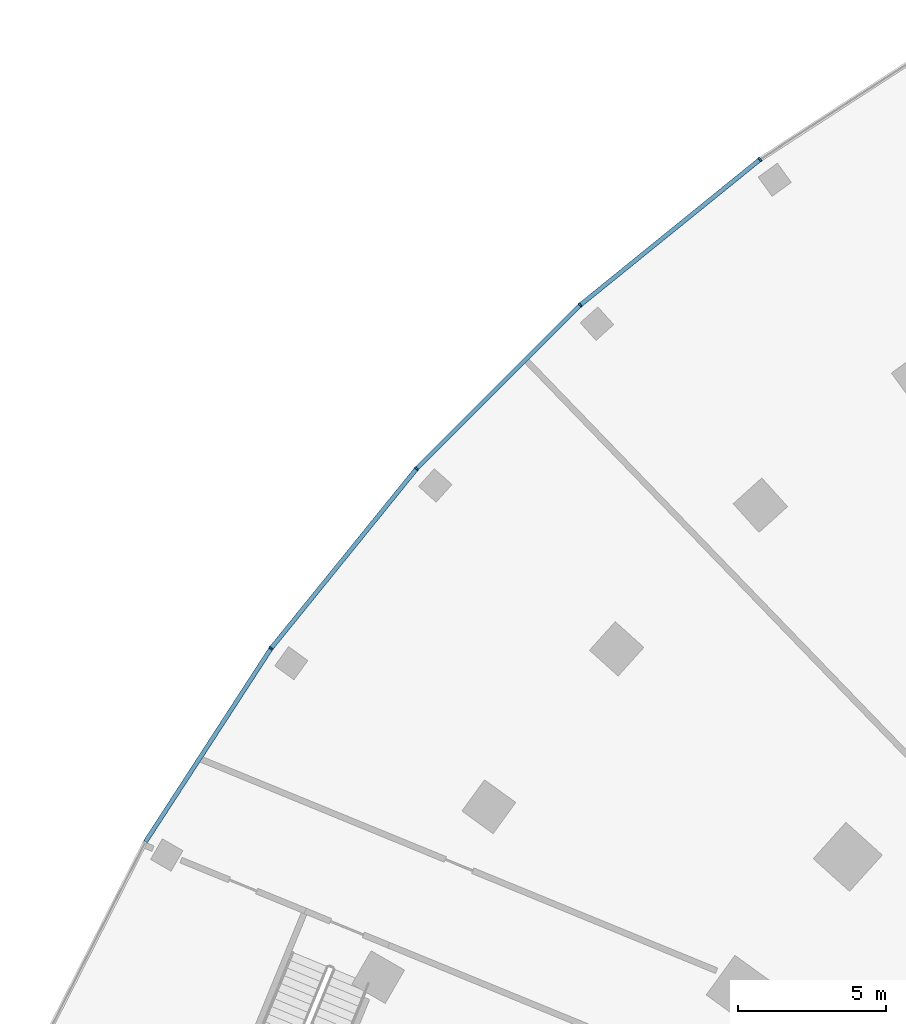
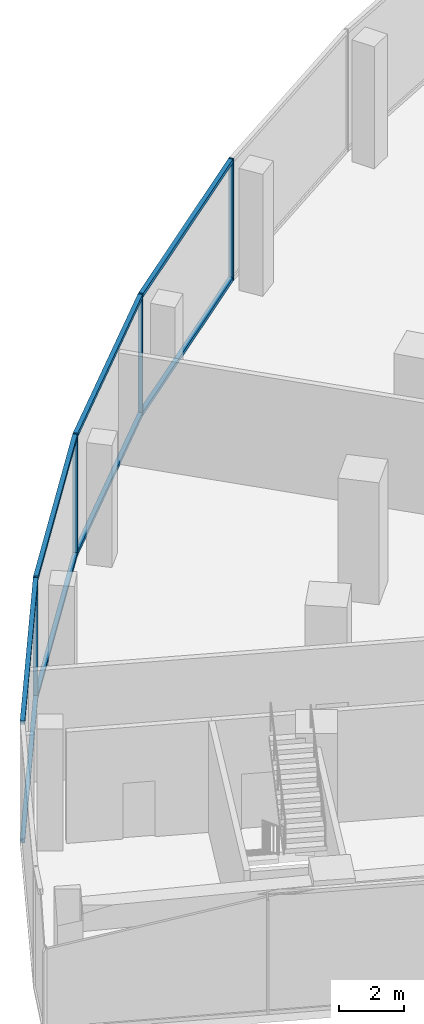
# One storey, part 6 of 40: 12 members, 1 element without a shape of its own.
"""IFC4 building model written with IfcOpenShell, lengths in metres."""

from ifc_helpers import new_model, si_unit, direction, frame, origin, origin_2d, place, context, subcontext, project, spatial, rectangle, extrude, material, layer, layer_set, material_profile, profile_set, type_object, element, aggregate, save


model = new_model("IFC4")

# Units and contexts
model_context = context("Model", 3, precision=1e-05, world=origin(), true_north=direction((0.0, 1.0)))
body_context = subcontext(model_context, "Body", "Model", "MODEL_VIEW")
ifc_project = project(units=[si_unit("LENGTHUNIT", "METRE"), si_unit("AREAUNIT", "SQUARE_METRE"), si_unit("VOLUMEUNIT", "CUBIC_METRE"), si_unit("PLANEANGLEUNIT", "RADIAN"), si_unit("MASSUNIT", "GRAM", prefix="KILO")], contexts=[model_context])

# Site, building, storey
site_placement = place(None, origin())
site = spatial("IfcSite", under=ifc_project, at=site_placement, CompositionType="ELEMENT")
building_placement = place(site_placement, origin())
building = spatial("IfcBuilding", under=site, at=building_placement, Name="Stone Belt Terrace Tower", CompositionType="ELEMENT")
storey_placement = place(building_placement, frame((0.0, 0.0, 7.0)))
storey = spatial("IfcBuildingStorey", under=building, at=storey_placement, Name="L01", CompositionType="ELEMENT", Elevation=7.0)

# Curtain wall, members
ifc_material = material(Name="Aluminium 6063-T6 anodised frame", Category="aluminium")
ifc_layer = layer(ifc_material, 0.14990234375)
ifc_layer_set = layer_set([ifc_layer], Name="CW-D podium shopfront")
curtain_wall_type = type_object("IfcCurtainWallType", Name="CW-D podium shopfront", PredefinedType="NOTDEFINED", material=ifc_layer_set)
curtain_wall_placement = place(storey_placement, origin())
curtain_wall = element("IfcCurtainWall", 1, at=curtain_wall_placement, inside=storey, type_object=curtain_wall_type, Name="CW-D convex face L01", PredefinedType="NOTDEFINED")
ifc_material_profile_1 = material_profile(ifc_material, rectangle(XDim=0.14990234375, YDim=0.06005859375, at=origin_2d()), Name="Aluminium 6063-T6 60x150")
ifc_profile_set_1 = profile_set([ifc_material_profile_1], Name="Aluminium 6063-T6 anodised frame")
member_type_1 = type_object("IfcMemberType", Name="CW-D mullion 60 x 150", PredefinedType="MULLION", material=ifc_profile_set_1)
member_1_placement = place(storey_placement, frame((-43.834228515625, 60.33251953125, 0.0), z_axis=(0.0, 0.0, 1.0), x_axis=(0.587785252292, -0.809016994375, 0.0)))
member_1 = element("IfcMember", 2, at=member_1_placement, type_object=member_type_1, Name="CW-D mullion 19", PredefinedType="MULLION", context=body_context, shape_type="SweptSolid", body=[
    extrude(rectangle(XDim=0.14990234375, YDim=0.06005859375, at=origin_2d()), origin(), (0.0, 0.0, 1.0), 4.60009765625),
])
member_2_placement = place(storey_placement, frame((-49.900390625, 55.420166015625, 0.0), z_axis=(0.0, 0.0, 1.0), x_axis=(0.669130606359, -0.743144825477, 0.0)))
member_2 = element("IfcMember", 3, at=member_2_placement, type_object=member_type_1, Name="CW-D mullion 20", PredefinedType="MULLION", context=body_context, shape_type="SweptSolid", body=[
    extrude(rectangle(XDim=0.14990234375, YDim=0.06005859375, at=origin_2d()), origin(), (0.0, 0.0, 1.0), 4.60009765625),
])
member_3_placement = place(storey_placement, frame((-55.420166015625, 49.900390625, 0.0), z_axis=(0.0, 0.0, 1.0), x_axis=(0.743144825477, -0.669130606359, 0.0)))
member_3 = element("IfcMember", 4, at=member_3_placement, type_object=member_type_1, Name="CW-D mullion 21", PredefinedType="MULLION", context=body_context, shape_type="SweptSolid", body=[
    extrude(rectangle(XDim=0.14990234375, YDim=0.06005859375, at=origin_2d()), origin(), (0.0, 0.0, 1.0), 4.60009765625),
])
member_4_placement = place(storey_placement, frame((-60.33251953125, 43.834228515625, 0.0), z_axis=(0.0, 0.0, 1.0), x_axis=(0.809016994375, -0.587785252292, 0.0)))
member_4 = element("IfcMember", 5, at=member_4_placement, type_object=member_type_1, Name="CW-D mullion 22", PredefinedType="MULLION", context=body_context, shape_type="SweptSolid", body=[
    extrude(rectangle(XDim=0.14990234375, YDim=0.06005859375, at=origin_2d()), origin(), (0.0, 0.0, 1.0), 4.60009765625),
])
ifc_material_profile_2 = material_profile(ifc_material, rectangle(XDim=0.14990234375, YDim=0.139892578125, at=origin_2d()), Name="Aluminium 6063-T6 150x140")
ifc_profile_set_2 = profile_set([ifc_material_profile_2], Name="Aluminium 6063-T6 anodised frame")
member_type_2 = type_object("IfcMemberType", Name="CW-D transom 140 x 150", PredefinedType="USERDEFINED", material=ifc_profile_set_2)
member_5_placement = place(storey_placement, frame((-43.860595703125, 60.311279296875, 0.070068359375), z_axis=(-0.777139794023, -0.62932800712, 0.0), x_axis=(0.62932800712, -0.777139794023, 0.0)))
member_5 = element("IfcMember", 6, at=member_5_placement, type_object=member_type_2, Name="CW-D transom 19.1", ObjectType="TRANSOM", PredefinedType="USERDEFINED", context=body_context, shape_type="SweptSolid", body=[
    extrude(rectangle(XDim=0.14990234375, YDim=0.139892578125, at=origin_2d()), origin(), (0.0, 0.0, 1.0), 7.73828125),
])
member_6_placement = place(storey_placement, frame((-43.860595703125, 60.311279296875, 4.530029296875), z_axis=(-0.777139794023, -0.62932800712, 0.0), x_axis=(0.62932800712, -0.777139794023, 0.0)))
member_6 = element("IfcMember", 7, at=member_6_placement, type_object=member_type_2, Name="CW-D transom 19.2", ObjectType="TRANSOM", PredefinedType="USERDEFINED", context=body_context, shape_type="SweptSolid", body=[
    extrude(rectangle(XDim=0.14990234375, YDim=0.139892578125, at=origin_2d()), origin(), (0.0, 0.0, 1.0), 7.73828125),
])
member_7_placement = place(storey_placement, frame((-49.924560546875, 55.396240234375, 0.070068359375), z_axis=(-0.707106781187, -0.707106781187, 0.0), x_axis=(0.707106781187, -0.707106781187, 0.0)))
member_7 = element("IfcMember", 8, at=member_7_placement, type_object=member_type_2, Name="CW-D transom 20.1", ObjectType="TRANSOM", PredefinedType="USERDEFINED", context=body_context, shape_type="SweptSolid", body=[
    extrude(rectangle(XDim=0.14990234375, YDim=0.139892578125, at=origin_2d()), origin(), (0.0, 0.0, 1.0), 7.738037109375),
])
member_8_placement = place(storey_placement, frame((-49.924560546875, 55.396240234375, 4.530029296875), z_axis=(-0.707106781187, -0.707106781187, 0.0), x_axis=(0.707106781187, -0.707106781187, 0.0)))
member_8 = element("IfcMember", 9, at=member_8_placement, type_object=member_type_2, Name="CW-D transom 20.2", ObjectType="TRANSOM", PredefinedType="USERDEFINED", context=body_context, shape_type="SweptSolid", body=[
    extrude(rectangle(XDim=0.14990234375, YDim=0.139892578125, at=origin_2d()), origin(), (0.0, 0.0, 1.0), 7.738037109375),
])
member_9_placement = place(storey_placement, frame((-55.44140625, 49.874267578125, 0.070068359375), z_axis=(-0.62932800712, -0.777139794023, 0.0), x_axis=(0.777139794023, -0.62932800712, 0.0)))
member_9 = element("IfcMember", 10, at=member_9_placement, type_object=member_type_2, Name="CW-D transom 21.1", ObjectType="TRANSOM", PredefinedType="USERDEFINED", context=body_context, shape_type="SweptSolid", body=[
    extrude(rectangle(XDim=0.14990234375, YDim=0.139892578125, at=origin_2d()), origin(), (0.0, 0.0, 1.0), 7.73828125),
])
member_10_placement = place(storey_placement, frame((-55.44140625, 49.874267578125, 4.530029296875), z_axis=(-0.62932800712, -0.777139794023, 0.0), x_axis=(0.777139794023, -0.62932800712, 0.0)))
member_10 = element("IfcMember", 11, at=member_10_placement, type_object=member_type_2, Name="CW-D transom 21.2", ObjectType="TRANSOM", PredefinedType="USERDEFINED", context=body_context, shape_type="SweptSolid", body=[
    extrude(rectangle(XDim=0.14990234375, YDim=0.139892578125, at=origin_2d()), origin(), (0.0, 0.0, 1.0), 7.73828125),
])
member_11_placement = place(storey_placement, frame((-60.35107421875, 43.8056640625, 0.070068359375), z_axis=(-0.54462677088, -0.83867853224, 0.0), x_axis=(0.83867853224, -0.54462677088, 0.0)))
member_11 = element("IfcMember", 12, at=member_11_placement, type_object=member_type_2, Name="CW-D transom 22.1", ObjectType="TRANSOM", PredefinedType="USERDEFINED", context=body_context, shape_type="SweptSolid", body=[
    extrude(rectangle(XDim=0.14990234375, YDim=0.139892578125, at=origin_2d()), origin(), (0.0, 0.0, 1.0), 7.738037109375),
])
member_12_placement = place(storey_placement, frame((-60.35107421875, 43.8056640625, 4.530029296875), z_axis=(-0.54462677088, -0.83867853224, 0.0), x_axis=(0.83867853224, -0.54462677088, 0.0)))
member_12 = element("IfcMember", 13, at=member_12_placement, type_object=member_type_2, Name="CW-D transom 22.2", ObjectType="TRANSOM", PredefinedType="USERDEFINED", context=body_context, shape_type="SweptSolid", body=[
    extrude(rectangle(XDim=0.14990234375, YDim=0.139892578125, at=origin_2d()), origin(), (0.0, 0.0, 1.0), 7.738037109375),
])
aggregate(curtain_wall, [member_1, member_2, member_3, member_4, member_5, member_6, member_7, member_8, member_9, member_10, member_11, member_12])

save(model, "model.ifc")
